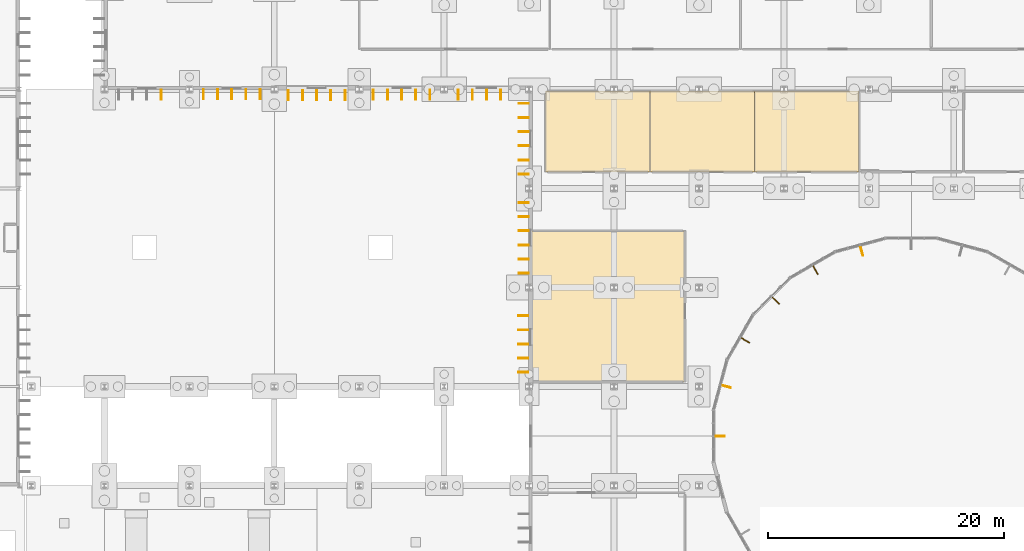
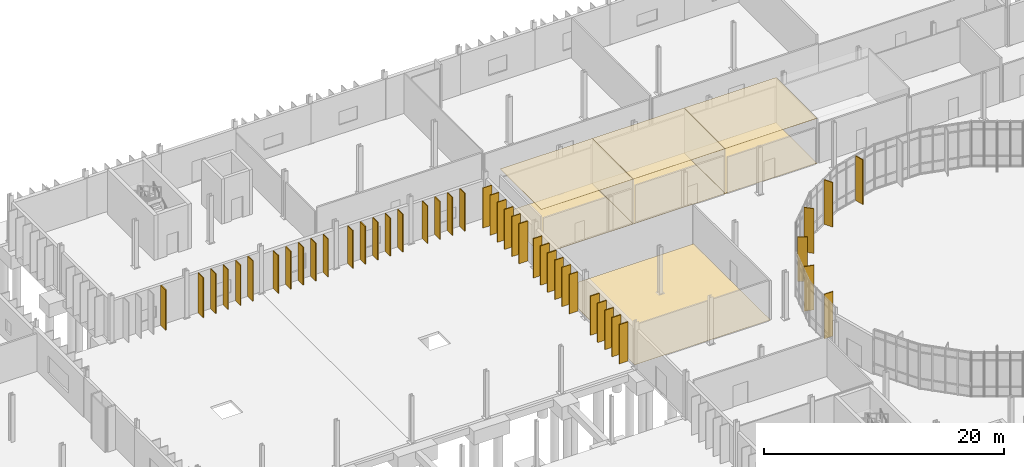
# One storey, part 112 of 118: 43 shading devices, 7 coverings.
"""IFC4 building model written with IfcOpenShell, lengths in metres."""

from ifc_helpers import new_model, si_unit, direction, frame, origin, origin_2d, place, context, subcontext, project, spatial, polyline, rectangle, outline, extrude, material, layer, layer_set, type_object, element, save


model = new_model("IFC4")

# Units and contexts
model_context = context("Model", 3, precision=1e-05, world=origin(), true_north=direction((0.0, 1.0)))
body_context = subcontext(model_context, "Body", "Model", "MODEL_VIEW")
ifc_project = project(units=[si_unit("LENGTHUNIT", "METRE"), si_unit("AREAUNIT", "SQUARE_METRE"), si_unit("VOLUMEUNIT", "CUBIC_METRE"), si_unit("PLANEANGLEUNIT", "RADIAN"), si_unit("MASSUNIT", "GRAM", prefix="KILO")], contexts=[model_context])

# Site, building, storey
site_placement = place(None, origin())
site = spatial("IfcSite", under=ifc_project, at=site_placement, CompositionType="ELEMENT")
building_placement = place(site_placement, origin())
building = spatial("IfcBuilding", under=site, at=building_placement, Name="Qelthora Terrace Specialist Clinic", CompositionType="ELEMENT")
storey_placement = place(building_placement, origin())
storey = spatial("IfcBuildingStorey", under=building, at=storey_placement, Name="L00", CompositionType="ELEMENT", Elevation=0.0)

# Coverings
ifc_material_1 = material(Name="Hygienic mineral-fibre acoustic ceiling", Category="gypsum")
ifc_layer_1 = layer(ifc_material_1, 0.02490234375)
ifc_layer_set_1 = layer_set([ifc_layer_1], Name="Hygienic mineral-fibre acoustic ceiling")
covering_type_1 = type_object("IfcCoveringType", Name="COV-CEIL-ACU-25", PredefinedType="CEILING", material=ifc_layer_set_1)
covering_1_placement = place(storey_placement, frame((0.0, 0.0, 4.554931640625)))
element("IfcCovering", 1, at=covering_1_placement, inside=storey, type_object=covering_type_1, Name="Endocrinology Consulting L00-36 acoustic ceiling", PredefinedType="CEILING", context=body_context, shape_type="SweptSolid", body=[
    extrude(outline(polyline([(95.0, 85.39990234375), (95.0, 92.25), (103.857177734375, 92.25), (103.857177734375, 85.39990234375), (95.0, 85.39990234375)])), origin(), (0.0, 0.0, 1.0), 0.025146484375),
])
covering_2_placement = place(storey_placement, frame((0.0, 0.0, 4.554931640625)))
element("IfcCovering", 2, at=covering_2_placement, inside=storey, type_object=covering_type_1, Name="Diabetes Education Room L00-37 acoustic ceiling", PredefinedType="CEILING", context=body_context, shape_type="SweptSolid", body=[
    extrude(outline(polyline([(103.862060546875, 85.39990234375), (103.862060546875, 92.25), (112.71435546875, 92.25), (112.71435546875, 85.39990234375), (103.862060546875, 85.39990234375)])), origin(), (0.0, 0.0, 1.0), 0.025146484375),
])
covering_3_placement = place(storey_placement, frame((0.0, 0.0, 4.554931640625)))
element("IfcCovering", 3, at=covering_3_placement, inside=storey, type_object=covering_type_1, Name="Phlebotomy Collection Suite L00-38 acoustic ceiling", PredefinedType="CEILING", context=body_context, shape_type="SweptSolid", body=[
    extrude(outline(polyline([(112.71923828125, 85.39990234375), (112.71923828125, 92.25), (121.5712890625, 92.25), (121.5712890625, 85.39990234375), (112.71923828125, 85.39990234375)])), origin(), (0.0, 0.0, 1.0), 0.025146484375),
])
ifc_material_2 = material(Name="Antimicrobial clinical linoleum flooring", Category="other")
ifc_layer_2 = layer(ifc_material_2, 0.011962890625)
ifc_layer_set_2 = layer_set([ifc_layer_2], Name="Antimicrobial clinical linoleum flooring")
covering_type_2 = type_object("IfcCoveringType", Name="COV-FLR-LINO-12", PredefinedType="FLOORING", material=ifc_layer_set_2)
covering_4_placement = place(storey_placement, origin())
element("IfcCovering", 4, at=covering_4_placement, inside=storey, type_object=covering_type_2, Name="Endocrinology Consulting L00-36 resilient linoleum flooring", PredefinedType="FLOORING", context=body_context, shape_type="SweptSolid", body=[
    extrude(outline(polyline([(95.0, 85.39990234375), (95.0, 92.25), (103.857177734375, 92.25), (103.857177734375, 85.39990234375), (95.0, 85.39990234375)])), origin(), (0.0, 0.0, 1.0), 0.011962890625),
])
covering_5_placement = place(storey_placement, origin())
element("IfcCovering", 5, at=covering_5_placement, inside=storey, type_object=covering_type_2, Name="Diabetes Education Room L00-37 resilient linoleum flooring", PredefinedType="FLOORING", context=body_context, shape_type="SweptSolid", body=[
    extrude(outline(polyline([(103.862060546875, 85.39990234375), (103.862060546875, 92.25), (112.71435546875, 92.25), (112.71435546875, 85.39990234375), (103.862060546875, 85.39990234375)])), origin(), (0.0, 0.0, 1.0), 0.011962890625),
])
covering_6_placement = place(storey_placement, origin())
element("IfcCovering", 6, at=covering_6_placement, inside=storey, type_object=covering_type_2, Name="Phlebotomy Collection Suite L00-38 resilient linoleum flooring", PredefinedType="FLOORING", context=body_context, shape_type="SweptSolid", body=[
    extrude(outline(polyline([(112.71923828125, 85.39990234375), (112.71923828125, 92.25), (121.5712890625, 92.25), (121.5712890625, 85.39990234375), (112.71923828125, 85.39990234375)])), origin(), (0.0, 0.0, 1.0), 0.011962890625),
])
covering_7_placement = place(storey_placement, origin())
element("IfcCovering", 7, at=covering_7_placement, inside=storey, type_object=covering_type_2, Name="Outpatient Multidisciplinary Consulting West L00-42 resilient linoleum flooring", PredefinedType="FLOORING", context=body_context, shape_type="SweptSolid", body=[
    extrude(outline(polyline([(106.800048828125, 80.39990234375), (106.800048828125, 67.60009765625), (93.72998046875, 67.60009765625), (93.72998046875, 80.39990234375), (106.800048828125, 80.39990234375)])), origin(), (0.0, 0.0, 1.0), 0.011962890625),
])

# Shading devices
ifc_material_3 = material(Name="Glulam timber GL28h", Category="wood")
shading_device_type = type_object("IfcShadingDeviceType", Name="SHD-FIN-850", PredefinedType="USERDEFINED", material=ifc_material_3)
for number, where, z_axis, x_axis, name in (
    (8, (121.791259765625, 78.707275390625, 0.0), (0.0, 0.0, 1.0), (0.258819045103, -0.965925826289, 0.0), "Court solar fin FIN-0006"),
    (9, (117.869384765625, 77.082763671875, 0.0), (0.0, 0.0, 1.0), (0.5, -0.866025403784, 0.0), "Court solar fin FIN-0007"),
    (10, (114.50146484375, 74.49853515625, 0.0), (0.0, 0.0, 1.0), (0.707106781187, -0.707106781187, 0.0), "Court solar fin FIN-0008"),
    (11, (111.917236328125, 71.130615234375, 0.0), (0.0, 0.0, 1.0), (0.866025403784, -0.5, 0.0), "Court solar fin FIN-0009"),
    (12, (110.292724609375, 67.208740234375, 0.0), (0.0, 0.0, 1.0), (0.965925826289, -0.258819045103, 0.0), "Court solar fin FIN-0010"),
    (13, (109.73876953125, 63.0, 0.0), (0.0, 0.0, 1.0), (1.0, 0.0, 0.0), "Court solar fin FIN-0011"),
):
    element("IfcShadingDevice", number, at=place(storey_placement, frame(where, z_axis=z_axis, x_axis=x_axis)), inside=storey, type_object=shading_device_type, Name=name, ObjectType="FIN", PredefinedType="USERDEFINED", context=body_context, shape_type="SweptSolid", body=[
        extrude(rectangle(XDim=0.85009765625, YDim=0.080078125, at=origin_2d()), origin(), (0.0, 0.0, 1.0), 4.544921875),
    ])
for number, where, z_axis, x_axis, name in (
    (14, (93.10498046875, 68.39990234375, 0.0), (0.0, 0.0, 1.0), (-1.0, 0.0, 0.0), "Exterior solar shading fin FIN-0220"),
    (15, (93.10498046875, 69.60009765625, 0.0), (0.0, 0.0, 1.0), (-1.0, 0.0, 0.0), "Exterior solar shading fin FIN-0221"),
    (16, (93.10498046875, 70.800048828125, 0.0), (0.0, 0.0, 1.0), (-1.0, 0.0, 0.0), "Exterior solar shading fin FIN-0222"),
    (17, (93.10498046875, 72.0, 0.0), (0.0, 0.0, 1.0), (-1.0, 0.0, 0.0), "Exterior solar shading fin FIN-0223"),
    (18, (93.10498046875, 73.199951171875, 0.0), (0.0, 0.0, 1.0), (-1.0, 0.0, 0.0), "Exterior solar shading fin FIN-0224"),
):
    element("IfcShadingDevice", number, at=place(storey_placement, frame(where, z_axis=z_axis, x_axis=x_axis)), inside=storey, type_object=shading_device_type, Name=name, ObjectType="FIN", PredefinedType="USERDEFINED", context=body_context, shape_type="SweptSolid", body=[
        extrude(rectangle(XDim=0.85009765625, YDim=0.080078125, at=origin_2d()), origin(), (0.0, 0.0, 1.0), 3.998046875),
    ])
for number, where, z_axis, x_axis, name in (
    (19, (93.135009765625, 76.800048828125, 0.0), (0.0, 0.0, 1.0), (-1.0, 0.0, 0.0), "Exterior solar shading fin FIN-0225"),
    (20, (93.135009765625, 78.0, 0.0), (0.0, 0.0, 1.0), (-1.0, 0.0, 0.0), "Exterior solar shading fin FIN-0226"),
    (21, (93.135009765625, 79.199951171875, 0.0), (0.0, 0.0, 1.0), (-1.0, 0.0, 0.0), "Exterior solar shading fin FIN-0227"),
    (22, (93.135009765625, 80.39990234375, 0.0), (0.0, 0.0, 1.0), (-1.0, 0.0, 0.0), "Exterior solar shading fin FIN-0228"),
    (23, (93.135009765625, 81.60009765625, 0.0), (0.0, 0.0, 1.0), (-1.0, 0.0, 0.0), "Exterior solar shading fin FIN-0229"),
    (24, (93.135009765625, 82.800048828125, 0.0), (0.0, 0.0, 1.0), (-1.0, 0.0, 0.0), "Exterior solar shading fin FIN-0230"),
):
    element("IfcShadingDevice", number, at=place(storey_placement, frame(where, z_axis=z_axis, x_axis=x_axis)), inside=storey, type_object=shading_device_type, Name=name, ObjectType="FIN", PredefinedType="USERDEFINED", context=body_context, shape_type="SweptSolid", body=[
        extrude(rectangle(XDim=0.85009765625, YDim=0.080078125, at=origin_2d()), origin(), (0.0, 0.0, 1.0), 4.0048828125),
    ])
for number, where, z_axis, x_axis, name in (
    (25, (93.14501953125, 85.199951171875, 0.0), (0.0, 0.0, 1.0), (-1.0, 0.0, 0.0), "Exterior solar shading fin FIN-0231"),
    (26, (93.14501953125, 86.39990234375, 0.0), (0.0, 0.0, 1.0), (-1.0, 0.0, 0.0), "Exterior solar shading fin FIN-0232"),
    (27, (93.14501953125, 87.60009765625, 0.0), (0.0, 0.0, 1.0), (-1.0, 0.0, 0.0), "Exterior solar shading fin FIN-0233"),
    (28, (93.14501953125, 88.800048828125, 0.0), (0.0, 0.0, 1.0), (-1.0, 0.0, 0.0), "Exterior solar shading fin FIN-0234"),
    (29, (93.14501953125, 90.0, 0.0), (0.0, 0.0, 1.0), (-1.0, 0.0, 0.0), "Exterior solar shading fin FIN-0235"),
    (30, (93.14501953125, 91.199951171875, 0.0), (0.0, 0.0, 1.0), (-1.0, 0.0, 0.0), "Exterior solar shading fin FIN-0236"),
):
    element("IfcShadingDevice", number, at=place(storey_placement, frame(where, z_axis=z_axis, x_axis=x_axis)), inside=storey, type_object=shading_device_type, Name=name, ObjectType="FIN", PredefinedType="USERDEFINED", context=body_context, shape_type="SweptSolid", body=[
        extrude(rectangle(XDim=0.85009765625, YDim=0.080078125, at=origin_2d()), origin(), (0.0, 0.0, 1.0), 4.075927734375),
    ])
for number, where, z_axis, x_axis, name in (
    (31, (62.39990234375, 91.955078125, 0.0), (0.0, 0.0, 1.0), (0.0, -1.0, 0.0), "Exterior solar shading fin FIN-0240"),
    (32, (66.0, 91.965087890625, 0.0), (0.0, 0.0, 1.0), (0.0, -1.0, 0.0), "Exterior solar shading fin FIN-0241"),
    (33, (67.199951171875, 91.965087890625, 0.0), (0.0, 0.0, 1.0), (0.0, -1.0, 0.0), "Exterior solar shading fin FIN-0242"),
    (34, (68.39990234375, 91.965087890625, 0.0), (0.0, 0.0, 1.0), (0.0, -1.0, 0.0), "Exterior solar shading fin FIN-0243"),
    (35, (69.60009765625, 91.965087890625, 0.0), (0.0, 0.0, 1.0), (0.0, -1.0, 0.0), "Exterior solar shading fin FIN-0244"),
    (36, (70.800048828125, 91.965087890625, 0.0), (0.0, 0.0, 1.0), (0.0, -1.0, 0.0), "Exterior solar shading fin FIN-0245"),
):
    element("IfcShadingDevice", number, at=place(storey_placement, frame(where, z_axis=z_axis, x_axis=x_axis)), inside=storey, type_object=shading_device_type, Name=name, ObjectType="FIN", PredefinedType="USERDEFINED", context=body_context, shape_type="SweptSolid", body=[
        extrude(rectangle(XDim=0.85009765625, YDim=0.080078125, at=origin_2d()), origin(), (0.0, 0.0, 1.0), 4.08203125),
    ])
for number, where, z_axis, x_axis, name in (
    (37, (73.199951171875, 91.905029296875, 0.0), (0.0, 0.0, 1.0), (0.0, -1.0, 0.0), "Exterior solar shading fin FIN-0246"),
    (38, (74.39990234375, 91.905029296875, 0.0), (0.0, 0.0, 1.0), (0.0, -1.0, 0.0), "Exterior solar shading fin FIN-0247"),
    (39, (75.60009765625, 91.905029296875, 0.0), (0.0, 0.0, 1.0), (0.0, -1.0, 0.0), "Exterior solar shading fin FIN-0248"),
    (40, (76.800048828125, 91.905029296875, 0.0), (0.0, 0.0, 1.0), (0.0, -1.0, 0.0), "Exterior solar shading fin FIN-0249"),
    (41, (78.0, 91.905029296875, 0.0), (0.0, 0.0, 1.0), (0.0, -1.0, 0.0), "Exterior solar shading fin FIN-0250"),
    (42, (80.39990234375, 91.93505859375, 0.0), (0.0, 0.0, 1.0), (0.0, -1.0, 0.0), "Exterior solar shading fin FIN-0251"),
    (43, (81.60009765625, 91.93505859375, 0.0), (0.0, 0.0, 1.0), (0.0, -1.0, 0.0), "Exterior solar shading fin FIN-0252"),
    (44, (82.800048828125, 91.93505859375, 0.0), (0.0, 0.0, 1.0), (0.0, -1.0, 0.0), "Exterior solar shading fin FIN-0253"),
    (45, (84.0, 91.93505859375, 0.0), (0.0, 0.0, 1.0), (0.0, -1.0, 0.0), "Exterior solar shading fin FIN-0254"),
    (46, (85.199951171875, 91.93505859375, 0.0), (0.0, 0.0, 1.0), (0.0, -1.0, 0.0), "Exterior solar shading fin FIN-0255"),
    (47, (87.60009765625, 91.945068359375, 0.0), (0.0, 0.0, 1.0), (0.0, -1.0, 0.0), "Exterior solar shading fin FIN-0256"),
    (48, (88.800048828125, 91.945068359375, 0.0), (0.0, 0.0, 1.0), (0.0, -1.0, 0.0), "Exterior solar shading fin FIN-0257"),
    (49, (90.0, 91.945068359375, 0.0), (0.0, 0.0, 1.0), (0.0, -1.0, 0.0), "Exterior solar shading fin FIN-0258"),
    (50, (91.199951171875, 91.945068359375, 0.0), (0.0, 0.0, 1.0), (0.0, -1.0, 0.0), "Exterior solar shading fin FIN-0259"),
):
    element("IfcShadingDevice", number, at=place(storey_placement, frame(where, z_axis=z_axis, x_axis=x_axis)), inside=storey, type_object=shading_device_type, Name=name, ObjectType="FIN", PredefinedType="USERDEFINED", context=body_context, shape_type="SweptSolid", body=[
        extrude(rectangle(XDim=0.85009765625, YDim=0.080078125, at=origin_2d()), origin(), (0.0, 0.0, 1.0), 3.84912109375),
    ])

save(model, "model.ifc")
